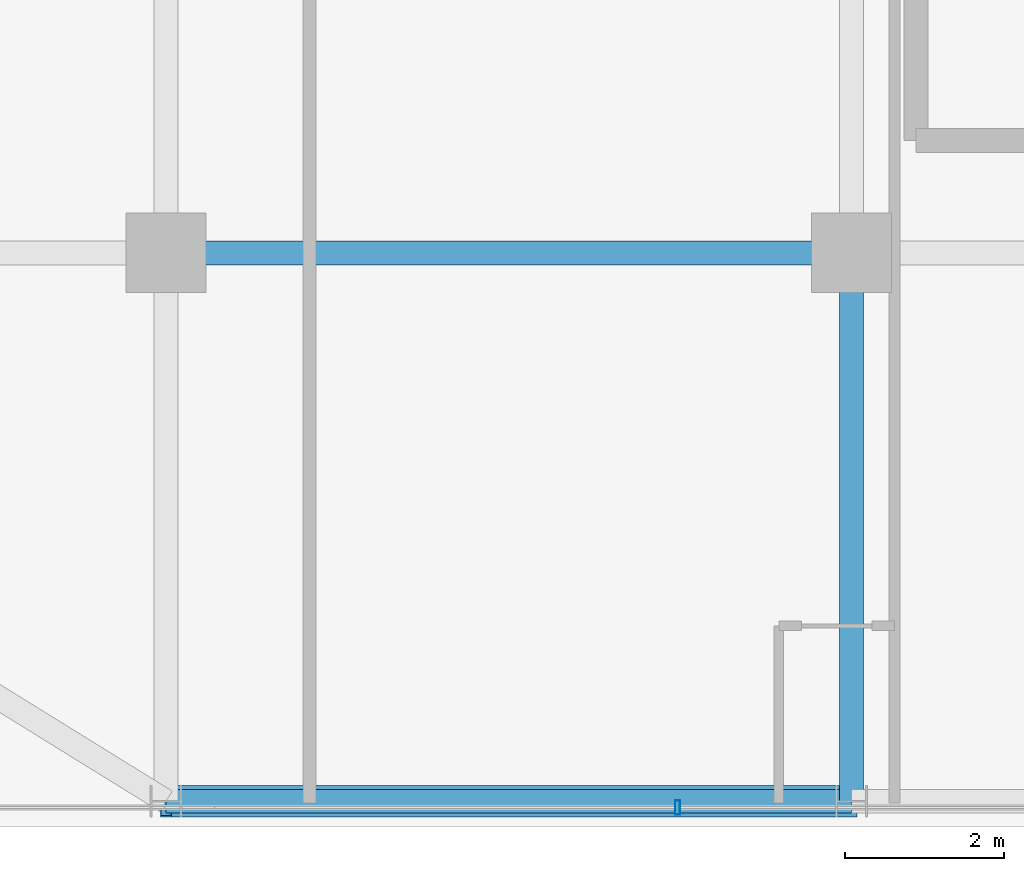
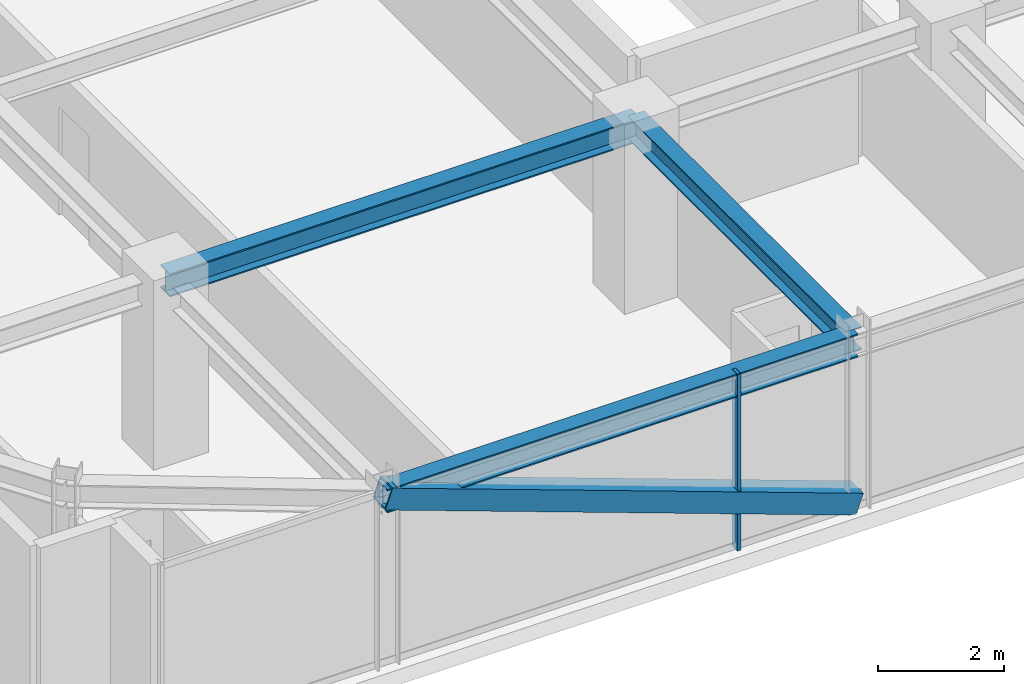
# One storey, part 5 of 36: 3 beams, 2 members, 1 element without a shape of its own.
"""IFC4 building model written with IfcOpenShell, lengths in metres."""

from ifc_helpers import new_model, si_unit, direction, frame, origin, origin_2d, place, context, subcontext, project, spatial, hollow_rectangle, i_section, extrude, source, transform, mapped, material, material_profile, profile_set, type_object, element, aggregate, save


model = new_model("IFC4")

# Units and contexts
model_context = context("Model", 3, precision=1e-05, world=origin(), true_north=direction((0.0, 1.0)))
body_context = subcontext(model_context, "Body", "Model", "MODEL_VIEW")
ifc_project = project(units=[si_unit("LENGTHUNIT", "METRE"), si_unit("AREAUNIT", "SQUARE_METRE"), si_unit("VOLUMEUNIT", "CUBIC_METRE"), si_unit("PLANEANGLEUNIT", "RADIAN"), si_unit("MASSUNIT", "GRAM", prefix="KILO")], contexts=[model_context])

# Site, building, storey
site_placement = place(None, origin())
site = spatial("IfcSite", under=ifc_project, at=site_placement, CompositionType="ELEMENT")
building_placement = place(site_placement, origin())
building = spatial("IfcBuilding", under=site, at=building_placement, Name="Nahalor Promenade Grand Hotel", CompositionType="ELEMENT")
storey_placement = place(building_placement, frame((0.0, 0.0, 234.5)))
storey = spatial("IfcBuildingStorey", under=building, at=storey_placement, Name="L60", CompositionType="ELEMENT", Elevation=234.5)

# Beams
ifc_material_1 = material(Name="Steel S355JR", Category="steel")
ifc_material_profile_1 = material_profile(ifc_material_1, i_section(OverallWidth=0.3, OverallDepth=0.45, WebThickness=0.014, FlangeThickness=0.026, at=origin_2d()), Name="HEB 450")
ifc_profile_set_1 = profile_set([ifc_material_profile_1], Name="Steel S355JR")
beam_type_1 = type_object("IfcBeamType", Name="Beam-Spandrel-HEB450", PredefinedType="SPANDREL", material=ifc_profile_set_1)
shared_shape_1 = source(origin(), body_context, "Body", "SweptSolid", [
    extrude(i_section(OverallWidth=0.3, OverallDepth=0.45, WebThickness=0.014, FlangeThickness=0.026, at=origin_2d()), origin(), (0.0, 0.0, 1.0), 8.60009765625),
])
beam_1_placement = place(storey_placement, frame((-17.0, -23.8798828125, 3.18505859375), z_axis=(1.0, 0.0, 0.0), x_axis=(0.0, 1.0, 0.0)))
element("IfcBeam", 1, at=beam_1_placement, inside=storey, type_object=beam_type_1, Name="BM-L60-SP-S-0", PredefinedType="SPANDREL", context=body_context, shape_type="MappedRepresentation", body=[
    mapped(shared_shape_1, transform((0.0, 0.0, 0.0), scale=1.0)),
])
ifc_material_profile_2 = material_profile(ifc_material_1, i_section(OverallWidth=0.3, OverallDepth=0.45, WebThickness=0.014, FlangeThickness=0.026, at=origin_2d()), Name="HEB 450")
ifc_profile_set_2 = profile_set([ifc_material_profile_2], Name="Steel S355JR")
beam_type_2 = type_object("IfcBeamType", Name="Beam-Girder-HEB450", PredefinedType="BEAM", material=ifc_profile_set_2)
shared_shape_2 = source(origin(), body_context, "Body", "SweptSolid", [
    extrude(i_section(OverallWidth=0.3, OverallDepth=0.45, WebThickness=0.014, FlangeThickness=0.026, at=origin_2d()), origin(), (0.0, 0.0, 1.0), 6.8798828125),
])
beam_2_placement = place(storey_placement, frame((-8.39990234375, -23.8798828125, 3.18505859375), z_axis=(0.0, 1.0, 0.0), x_axis=(-1.0, 0.0, 0.0)))
element("IfcBeam", 2, at=beam_2_placement, inside=storey, type_object=beam_type_2, Name="BM-L60-GY-1-0", PredefinedType="BEAM", context=body_context, shape_type="MappedRepresentation", body=[
    mapped(shared_shape_2, transform((0.0, 0.0, 0.0), scale=1.0)),
])
shared_shape_3 = source(origin(), body_context, "Body", "SweptSolid", [
    extrude(i_section(OverallWidth=0.3, OverallDepth=0.45, WebThickness=0.014, FlangeThickness=0.026, at=origin_2d()), origin(), (0.0, 0.0, 1.0), 8.60009765625),
])
beam_3_placement = place(storey_placement, frame((-17.0, -17.0, 3.18505859375), z_axis=(1.0, 0.0, 0.0), x_axis=(0.0, 1.0, 0.0)))
element("IfcBeam", 3, at=beam_3_placement, inside=storey, type_object=beam_type_2, Name="BM-L60-GX-0-1", PredefinedType="BEAM", context=body_context, shape_type="MappedRepresentation", body=[
    mapped(shared_shape_3, transform((0.0, 0.0, 0.0), scale=1.0)),
])

# Member
ifc_material_profile_3 = material_profile(ifc_material_1, hollow_rectangle(XDim=0.4, YDim=0.4, WallThickness=0.022, at=origin_2d()), Name="SHS 400x400x22")
ifc_profile_set_3 = profile_set([ifc_material_profile_3], Name="Steel S355JR")
member_type_1 = type_object("IfcMemberType", Name="Mem-ExoBrace-SHS400", PredefinedType="BRACE", material=ifc_profile_set_3)
shared_shape_4 = source(origin(), body_context, "Body", "SweptSolid", [
    extrude(hollow_rectangle(XDim=0.4, YDim=0.4, WallThickness=0.022, at=origin_2d()), origin(), (0.0, 0.0, 1.0), 9.145263671875),
])
member_1_placement = place(storey_placement, frame((-8.39990234375, -23.8798828125, 0.14990234375), z_axis=(-0.940396027132, 0.0, 0.340081331676), x_axis=(0.0, -1.0, 0.0)))
element("IfcMember", 4, at=member_1_placement, inside=storey, type_object=member_type_1, Name="EXO-L60-S-0", PredefinedType="BRACE", context=body_context, shape_type="MappedRepresentation", body=[
    mapped(shared_shape_4, transform((0.0, 0.0, 0.0), scale=1.0)),
])

# Curtain wall, member
ifc_material_2 = material(Name="Anodised Bronze Aluminium EN AW-6063 T6", Category="aluminium")
curtain_wall_type = type_object("IfcCurtainWallType", Name="CW2 Typical Hotel Flush Bronze Unitised Curtain Wall", PredefinedType="USERDEFINED", material=ifc_material_2)
curtain_wall_placement = place(storey_placement, origin())
curtain_wall = element("IfcCurtainWall", 5, at=curtain_wall_placement, inside=storey, type_object=curtain_wall_type, Name="L60 Curtain Wall CW-L60-S-1", ObjectType="UNITISED_CURTAIN_WALL", PredefinedType="USERDEFINED")
ifc_material_profile_4 = material_profile(ifc_material_2, hollow_rectangle(XDim=0.065, YDim=0.18, WallThickness=0.004, at=origin_2d()), Name="CWM 65x180x4")
ifc_profile_set_4 = profile_set([ifc_material_profile_4], Name="Anodised Bronze Aluminium EN AW-6063 T6")
member_type_2 = type_object("IfcMemberType", Name="CWM2 Typical Bronze Mullion 65x180", PredefinedType="MULLION", material=ifc_profile_set_4)
shared_shape_5 = source(origin(), body_context, "Body", "SweptSolid", [
    extrude(hollow_rectangle(XDim=0.065, YDim=0.18, WallThickness=0.004, at=origin_2d()), origin(), (0.0, 0.0, 1.0), 3.409912109375),
])
member_2_placement = place(storey_placement, frame((-10.580078125, -23.9599609375, 0.0), z_axis=(0.0, 0.0, 1.0), x_axis=(1.0, 0.0, 0.0)))
member_2 = element("IfcMember", 6, at=member_2_placement, type_object=member_type_2, Name="CW-L60-S-1 Mullion 1", PredefinedType="MULLION", context=body_context, shape_type="MappedRepresentation", body=[
    mapped(shared_shape_5, transform((0.0, 0.0, 0.0), scale=1.0)),
])
aggregate(curtain_wall, [member_2])

save(model, "model.ifc")
